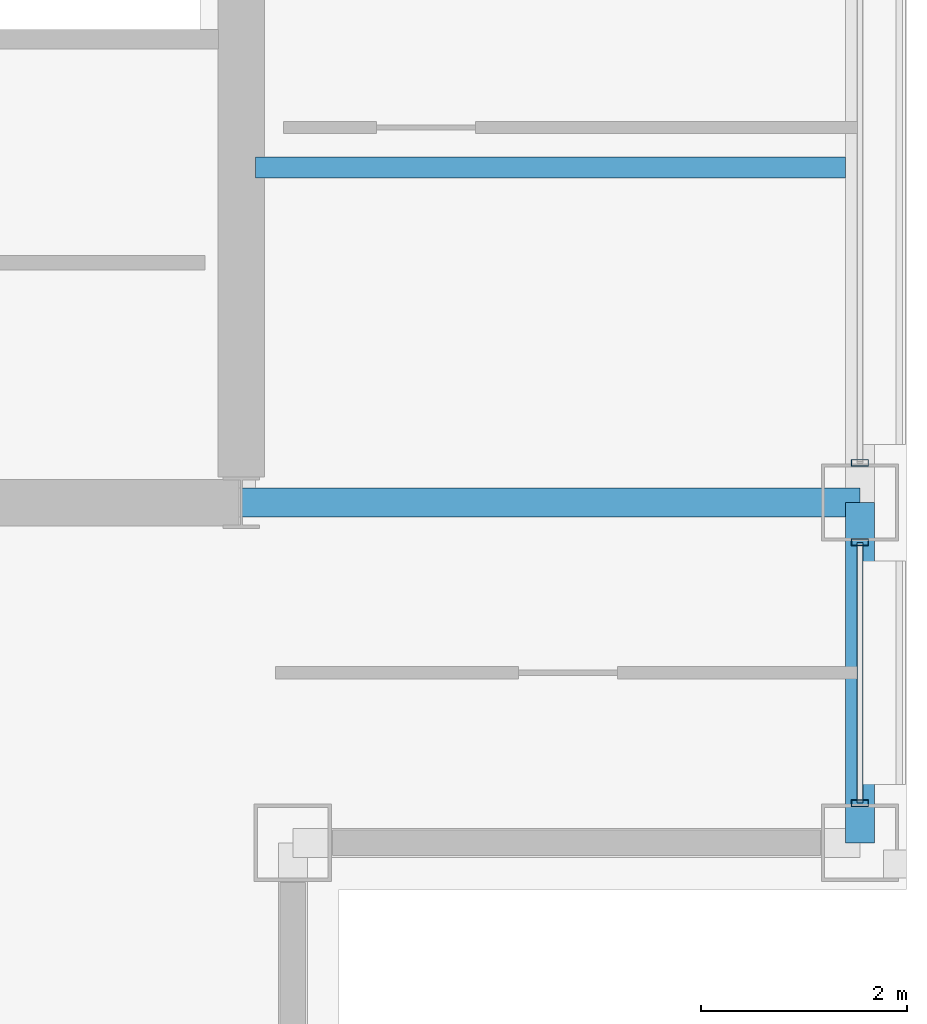
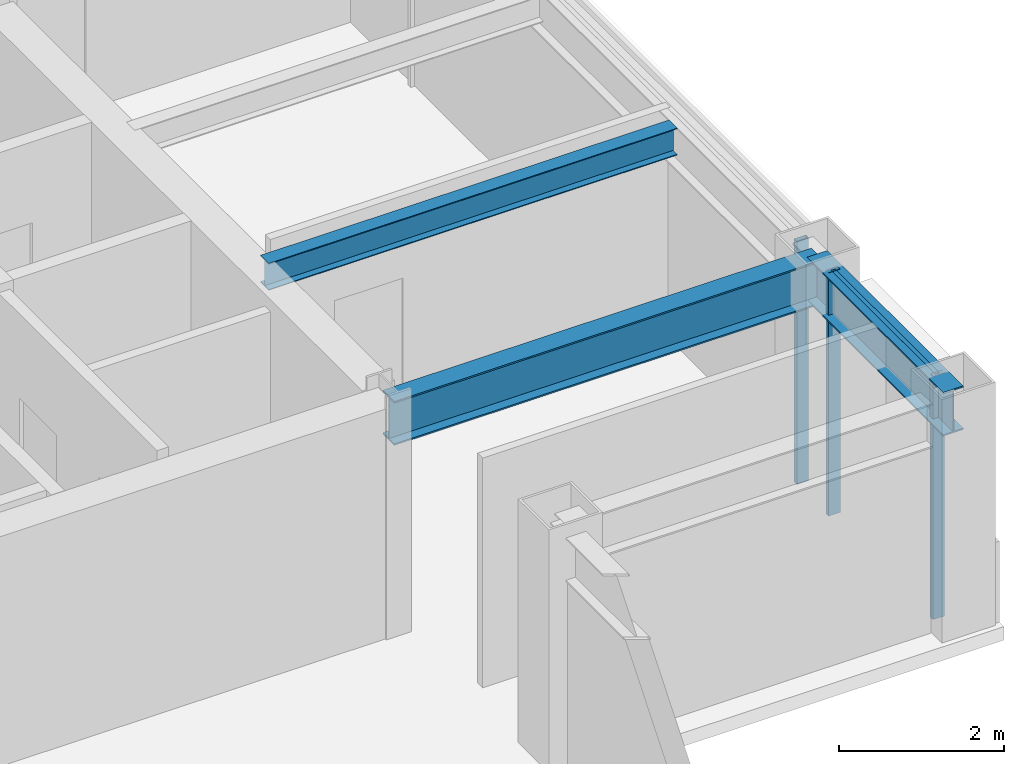
# One storey, part 13 of 30: 4 members, 3 beams, 2 elements without a shape of their own.
"""IFC4 building model written with IfcOpenShell, lengths in metres."""

from ifc_helpers import new_model, si_unit, direction, frame, origin, origin_2d, place, context, subcontext, project, spatial, hollow_rectangle, i_section, extrude, material, layer, layer_set, material_profile, profile_set, type_object, element, aggregate, save


model = new_model("IFC4")

# Units and contexts
model_context = context("Model", 3, precision=1e-05, world=origin(), true_north=direction((0.0, 1.0)))
body_context = subcontext(model_context, "Body", "Model", "MODEL_VIEW")
ifc_project = project(units=[si_unit("LENGTHUNIT", "METRE"), si_unit("AREAUNIT", "SQUARE_METRE"), si_unit("VOLUMEUNIT", "CUBIC_METRE"), si_unit("PLANEANGLEUNIT", "RADIAN"), si_unit("MASSUNIT", "GRAM", prefix="KILO")], contexts=[model_context])

# Site, building, storey
site_placement = place(None, origin())
site = spatial("IfcSite", under=ifc_project, at=site_placement, CompositionType="ELEMENT")
building_placement = place(site_placement, origin())
building = spatial("IfcBuilding", under=site, at=building_placement, Name="Brelmoor Portico Tower", CompositionType="ELEMENT")
storey_placement = place(building_placement, frame((0.0, 0.0, 169.5)))
storey = spatial("IfcBuildingStorey", under=building, at=storey_placement, Name="L44", CompositionType="ELEMENT", Elevation=169.5)

# Beams
ifc_material_1 = material(Name="Steel Q355B", Category="steel")
ifc_material_profile_1 = material_profile(ifc_material_1, i_section(OverallWidth=0.199951171875, OverallDepth=0.39990234375, WebThickness=0.008056640625, FlangeThickness=0.012939453125, at=origin_2d()), Name="HN 400x200x8x13")
ifc_profile_set_1 = profile_set([ifc_material_profile_1], Name="Steel Q355B")
beam_type_1 = type_object("IfcBeamType", Name="BM-JS-400", PredefinedType="JOIST", material=ifc_profile_set_1)
beam_1_placement = place(storey_placement, frame((14.68994140625, -6.5, 3.199951171875), z_axis=(1.0, 0.0, 0.0), x_axis=(0.0, 1.0, 0.0)))
element("IfcBeam", 1, at=beam_1_placement, inside=storey, type_object=beam_type_1, Name="L44 Secondary Wing Joist JS-E09", PredefinedType="JOIST", context=body_context, shape_type="SweptSolid", body=[
    extrude(i_section(OverallWidth=0.199951171875, OverallDepth=0.39990234375, WebThickness=0.008056640625, FlangeThickness=0.012939453125, at=origin_2d()), origin(), (0.0, 0.0, 1.0), 5.719970703125),
])
ifc_material_profile_2 = material_profile(ifc_material_1, i_section(OverallWidth=0.280029296875, OverallDepth=0.64990234375, WebThickness=0.012939453125, FlangeThickness=0.02197265625, at=origin_2d()), Name="HN 650x280x13x22")
ifc_profile_set_2 = profile_set([ifc_material_profile_2], Name="Steel Q355B")
beam_type_2 = type_object("IfcBeamType", Name="BM-PG-650", PredefinedType="BEAM", material=ifc_profile_set_2)
beam_2_placement = place(storey_placement, frame((14.550048828125, -9.75, 3.074951171875), z_axis=(1.0, 0.0, 0.0), x_axis=(0.0, 1.0, 0.0)))
element("IfcBeam", 2, at=beam_2_placement, inside=storey, type_object=beam_type_2, Name="L44 Primary Floor Girder PG-15", PredefinedType="BEAM", context=body_context, shape_type="SweptSolid", body=[
    extrude(i_section(OverallWidth=0.280029296875, OverallDepth=0.64990234375, WebThickness=0.012939453125, FlangeThickness=0.02197265625, at=origin_2d()), origin(), (0.0, 0.0, 1.0), 6.0),
])
ifc_material_profile_3 = material_profile(ifc_material_1, i_section(OverallWidth=0.280029296875, OverallDepth=0.64990234375, WebThickness=0.012939453125, FlangeThickness=0.02197265625, at=origin_2d()), Name="HN 650x280x13x22")
ifc_profile_set_3 = profile_set([ifc_material_profile_3], Name="Steel Q355B")
beam_type_3 = type_object("IfcBeamType", Name="BM-SP-650", PredefinedType="SPANDREL", material=ifc_profile_set_3)
beam_3_placement = place(storey_placement, frame((20.550048828125, -13.050048828125, 3.074951171875), z_axis=(0.0, 1.0, 0.0), x_axis=(-1.0, 0.0, 0.0)))
element("IfcBeam", 3, at=beam_3_placement, inside=storey, type_object=beam_type_3, Name="L44 Perimeter Spandrel Beam SP-18", PredefinedType="SPANDREL", context=body_context, shape_type="SweptSolid", body=[
    extrude(i_section(OverallWidth=0.280029296875, OverallDepth=0.64990234375, WebThickness=0.012939453125, FlangeThickness=0.02197265625, at=origin_2d()), origin(), (0.0, 0.0, 1.0), 3.300048828125),
])

# Curtain wall, members
ifc_material_2 = material(Name="Anodised Aluminium Alloy 6063-T6", Category="aluminium")
ifc_layer = layer(ifc_material_2, 0.179931640625)
ifc_layer_set = layer_set([ifc_layer], Name="Anodised Aluminium Alloy 6063-T6")
curtain_wall_type = type_object("IfcCurtainWallType", Name="CW-TOWER-Z3-XB", PredefinedType="NOTDEFINED", material=ifc_layer_set)
curtain_wall_1_placement = place(storey_placement, origin())
curtain_wall_1 = element("IfcCurtainWall", 4, at=curtain_wall_1_placement, inside=storey, type_object=curtain_wall_type, Name="L44 Curtain Wall CW-L44-04-1", PredefinedType="NOTDEFINED")
ifc_material_profile_4 = material_profile(ifc_material_2, hollow_rectangle(XDim=0.06494140625, YDim=0.1650390625, WallThickness=0.00390625, at=origin_2d()), Name="ALU MULLION 65x165")
ifc_profile_set_4 = profile_set([ifc_material_profile_4], Name="Anodised Aluminium Alloy 6063-T6")
member_type_1 = type_object("IfcMemberType", Name="MB-CW-MULL-165", PredefinedType="MULLION", material=ifc_profile_set_4)
member_1_placement = place(storey_placement, frame((20.550048828125, -12.6650390625, -0.199951171875), z_axis=(0.0, 0.0, 1.0), x_axis=(0.0, 1.0, 0.0)))
member_1 = element("IfcMember", 5, at=member_1_placement, type_object=member_type_1, Name="CW-L44-04-1 Mullion 00", PredefinedType="MULLION", context=body_context, shape_type="SweptSolid", body=[
    extrude(hollow_rectangle(XDim=0.06494140625, YDim=0.1650390625, WallThickness=0.00390625, at=origin_2d()), origin(), (0.0, 0.0, 1.0), 3.599853515625),
])
member_2_placement = place(storey_placement, frame((20.550048828125, -10.135009765625, -0.199951171875), z_axis=(0.0, 0.0, 1.0), x_axis=(0.0, 1.0, 0.0)))
member_2 = element("IfcMember", 6, at=member_2_placement, type_object=member_type_1, Name="CW-L44-04-1 Mullion 01", PredefinedType="MULLION", context=body_context, shape_type="SweptSolid", body=[
    extrude(hollow_rectangle(XDim=0.06494140625, YDim=0.1650390625, WallThickness=0.00390625, at=origin_2d()), origin(), (0.0, 0.0, 1.0), 3.599853515625),
])

# Curtain wall, member
curtain_wall_2_placement = place(storey_placement, origin())
curtain_wall_2 = element("IfcCurtainWall", 7, at=curtain_wall_2_placement, inside=storey, type_object=curtain_wall_type, Name="L44 Curtain Wall CW-L44-04-2", PredefinedType="NOTDEFINED")
member_3_placement = place(storey_placement, frame((20.550048828125, -9.364990234375, -0.199951171875), z_axis=(0.0, 0.0, 1.0), x_axis=(0.0, 1.0, 0.0)))
member_3 = element("IfcMember", 8, at=member_3_placement, type_object=member_type_1, Name="CW-L44-04-2 Mullion 00", PredefinedType="MULLION", context=body_context, shape_type="SweptSolid", body=[
    extrude(hollow_rectangle(XDim=0.06494140625, YDim=0.1650390625, WallThickness=0.00390625, at=origin_2d()), origin(), (0.0, 0.0, 1.0), 3.599853515625),
])
aggregate(curtain_wall_2, [member_3])

# Member
ifc_material_profile_5 = material_profile(ifc_material_2, hollow_rectangle(XDim=0.06005859375, YDim=0.125, WallThickness=0.00341796875, at=origin_2d()), Name="ALU TRANSOM 60x125")
ifc_profile_set_5 = profile_set([ifc_material_profile_5], Name="Anodised Aluminium Alloy 6063-T6")
member_type_2 = type_object("IfcMemberType", Name="MB-CW-TRAN-125", PredefinedType="USERDEFINED", material=ifc_profile_set_5)
member_4_placement = place(storey_placement, frame((20.550048828125, -12.6650390625, 3.33740234375), z_axis=(0.0, 1.0, 0.0), x_axis=(-1.0, 0.0, 0.0)))
member_4 = element("IfcMember", 9, at=member_4_placement, type_object=member_type_2, Name="CW-L44-04-1 Transom 1-00", ObjectType="TRANSOM", PredefinedType="USERDEFINED", context=body_context, shape_type="SweptSolid", body=[
    extrude(hollow_rectangle(XDim=0.06005859375, YDim=0.125, WallThickness=0.00341796875, at=origin_2d()), origin(), (0.0, 0.0, 1.0), 2.530029296875),
])

aggregate(curtain_wall_1, [member_1, member_2, member_4])

save(model, "model.ifc")
